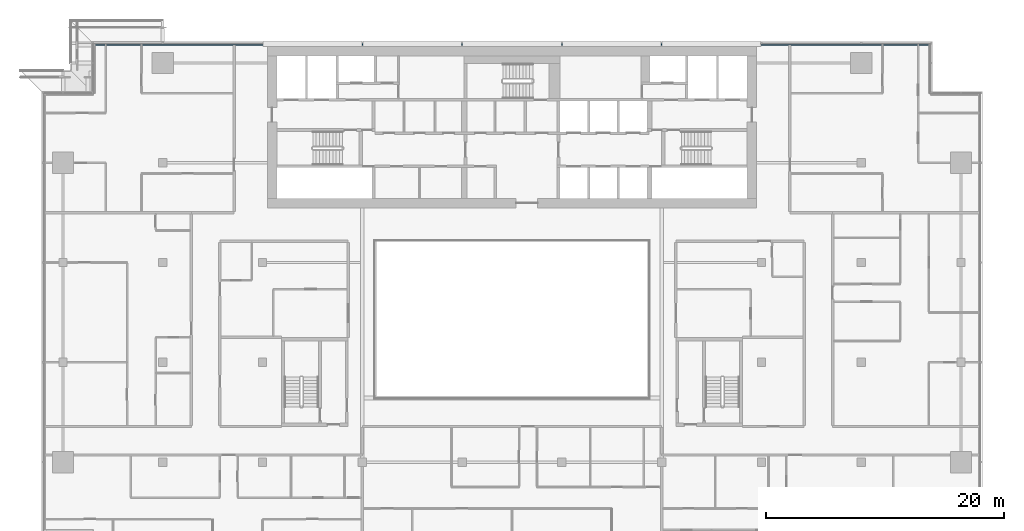
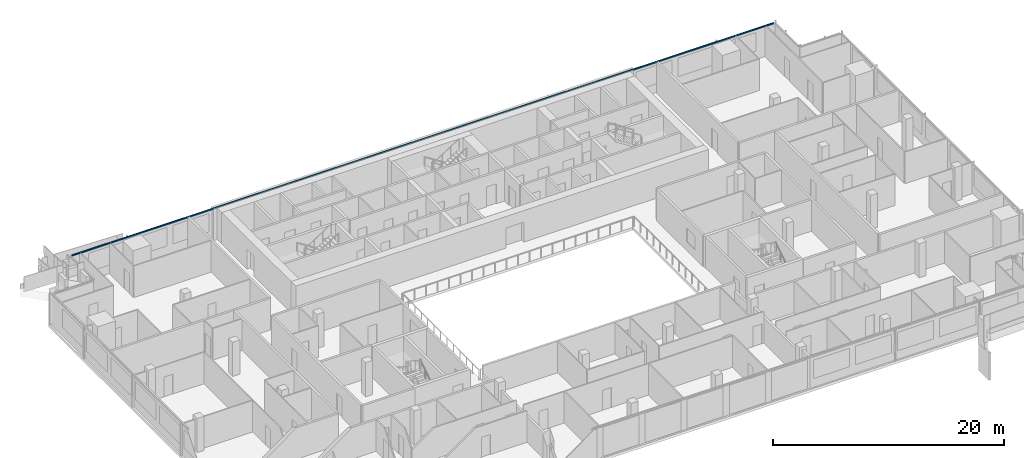
# One storey, part 11 of 30: 1 member, 1 element without a shape of its own.
"""IFC4 building model written with IfcOpenShell, lengths in metres."""

import ifcopenshell
import ifcopenshell.guid

model = None  # the IFC model being written
_history = None  # IfcOwnerHistory: only IFC2X3 demands one
_inside = {}  # id of a spatial element -> (the spatial element, [elements in it])
_under = {}  # id of a project, library or spatial element -> (it, [spatial elements below it])
_declared = {}  # id of a project -> (the project, [libraries it declares])
_typed = {}  # id of a type object -> (the type object, [elements of that type])
_made_of = {}  # id of a material, layer set ... -> (it, [elements and type objects made of it])


def new_model(schema):
    """Start an empty IFC model of exactly this schema.

    Asked for "IFC4X3", IfcOpenShell would pick the latest addendum, in which some entities
    have other attributes; the version numbers below select the first issue.
    IFC2X3 requires an IfcOwnerHistory on every rooted entity: one is made here for all.
    """
    global model, _history
    if schema == "IFC4X3":
        model = ifcopenshell.file(schema_version=(4, 3, 0, 0))
    else:
        model = ifcopenshell.file(schema=schema)
    _inside.clear()
    _under.clear()
    _declared.clear()
    _typed.clear()
    _made_of.clear()
    _history = None
    if model.schema == "IFC2X3":
        org = make("IfcOrganization", Name="unknown")
        user = make(
            "IfcPersonAndOrganization",
            ThePerson=make("IfcPerson", FamilyName="unknown"),
            TheOrganization=org,
        )
        app = make(
            "IfcApplication",
            ApplicationDeveloper=org,
            Version="unknown",
            ApplicationFullName="unknown",
            ApplicationIdentifier="unknown",
        )
        _history = make(
            "IfcOwnerHistory",
            OwningUser=user,
            OwningApplication=app,
            ChangeAction="ADDED",
            CreationDate=0,
        )
    return model


def make(cls, **values):
    """One entity of the class cls with the attributes given. An attribute that is None is left unset."""
    return model.create_entity(
        cls, **{name: value for name, value in values.items() if value is not None}
    )


def rooted(cls, **values):
    """An entity with a GlobalId (a new one), such as an element, a storey or a relation."""
    return make(cls, GlobalId=ifcopenshell.guid.new(), OwnerHistory=_history, **values)


def si_unit(unit_type, name, prefix=None):
    """IfcSIUnit, for example si_unit("LENGTHUNIT", "METRE", prefix="MILLI")."""
    return make("IfcSIUnit", UnitType=unit_type, Prefix=prefix, Name=name)


def assignment(units):
    """IfcUnitAssignment: the units of a project."""
    return None if units is None else make("IfcUnitAssignment", Units=units)


def point(xyz):
    """IfcCartesianPoint."""
    return None if xyz is None else make("IfcCartesianPoint", Coordinates=xyz)


def direction(xyz):
    """IfcDirection."""
    return None if xyz is None else make("IfcDirection", DirectionRatios=xyz)


def frame(location, z_axis=None, x_axis=None):
    """IfcAxis2Placement3D, a coordinate frame: its origin and axes. An axis left out is left unset."""
    return make(
        "IfcAxis2Placement3D",
        Location=point(location),
        Axis=direction(z_axis),
        RefDirection=direction(x_axis),
    )


def frame_2d(location, x_axis=None):
    """IfcAxis2Placement2D, a coordinate frame in the plane: its origin and x axis."""
    return make(
        "IfcAxis2Placement2D", Location=point(location), RefDirection=direction(x_axis)
    )


def origin():
    """The frame at (0, 0, 0) with its axes left unset."""
    return frame((0.0, 0.0, 0.0))


def origin_2d():
    """The frame at (0, 0) in the plane with its x axis left unset."""
    return frame_2d((0.0, 0.0))


def place(relative_to, where):
    """IfcLocalPlacement: puts the frame where relative to a parent placement (None: the world)."""
    return make(
        "IfcLocalPlacement", PlacementRelTo=relative_to, RelativePlacement=where
    )


def context(
    kind, dimensions, precision=None, world=None, true_north=None, identifier=None
):
    """IfcGeometricRepresentationContext, for example the 3D "Model" context."""
    return make(
        "IfcGeometricRepresentationContext",
        ContextIdentifier=identifier,
        ContextType=kind,
        CoordinateSpaceDimension=dimensions,
        Precision=precision,
        WorldCoordinateSystem=world,
        TrueNorth=true_north,
    )


def subcontext(parent, identifier, kind, view, scale=None):
    """IfcGeometricRepresentationSubContext, for example "Body" below "Model"."""
    return make(
        "IfcGeometricRepresentationSubContext",
        ContextIdentifier=identifier,
        ContextType=kind,
        ParentContext=parent,
        TargetScale=scale,
        TargetView=view,
    )


def project(units=None, contexts=None):
    """IfcProject with its units and contexts."""
    return rooted(
        "IfcProject",
        Name="project",
        RepresentationContexts=contexts,
        UnitsInContext=assignment(units),
    )


def spatial(cls, under=None, at=None, **own):
    """A site, building, storey or space (cls), placed at a placement, below another one or the project."""
    s = rooted(cls, ObjectPlacement=at, **own)
    if under is not None:
        _under.setdefault(under.id(), (under, []))[1].append(s)
    return s


def profile(cls, at=None, kind="AREA", **sizes):
    """A parametric profile (cls). Its sizes go by their IFC names, for example OverallWidth=200.0."""
    return make(cls, ProfileType=kind, Position=at, **sizes)


def rectangle(**sizes):
    """IfcRectangleProfileDef."""
    return profile("IfcRectangleProfileDef", **sizes)


def extrude(swept, where, along, depth):
    """IfcExtrudedAreaSolid: the profile swept, set in the frame where, extruded along a direction by depth."""
    return make(
        "IfcExtrudedAreaSolid",
        SweptArea=swept,
        Position=where,
        ExtrudedDirection=direction(along),
        Depth=depth,
    )


def shape(context_of_items, identifier, shape_type, items):
    """IfcShapeRepresentation: the items that make up one representation, for example the "Body"."""
    return make(
        "IfcShapeRepresentation",
        ContextOfItems=context_of_items,
        RepresentationIdentifier=identifier,
        RepresentationType=shape_type,
        Items=items,
    )


def material(Name=None, Category=None):
    """IfcMaterial."""
    return make("IfcMaterial", Name=Name, Category=Category)


def material_profile(
    of_material, cross_section, Name=None, Category=None, Priority=None
):
    """IfcMaterialProfile: a cross section and its material."""
    return make(
        "IfcMaterialProfile",
        Name=Name,
        Material=of_material,
        Profile=cross_section,
        Priority=Priority,
        Category=Category,
    )


def profile_set(profiles, Name=None, composite=None):
    """IfcMaterialProfileSet."""
    return make(
        "IfcMaterialProfileSet",
        Name=Name,
        MaterialProfiles=profiles,
        CompositeProfile=composite,
    )


def made_of(thing, what):
    """Note that an element or type object is made of a material, layer set ...; save() writes the relation."""
    if what is not None:
        _made_of.setdefault(what.id(), (what, []))[1].append(thing)
    return thing


def type_object(cls, material=None, **own):
    """A type object (cls), such as IfcWallType, which elements share."""
    return made_of(rooted(cls, **own), material)


def element(
    cls,
    number,
    at=None,
    inside=None,
    cuts=None,
    type_object=None,
    material=None,
    context=None,
    identifier="Body",
    shape_type=None,
    held_by="IfcProductDefinitionShape",
    body=None,
    shapes=None,
    **own,
):
    """One element of the class cls, such as IfcWall. Its Tag is "e" and its number.

    at: its placement. inside: the storey or other place that contains it. cuts: it is an
    opening in that element (IfcRelVoidsElement). A single representation is given by context,
    identifier, shape_type and body (its items); several are given by shapes. held_by: the class
    of the entity that holds the representations. save() writes the other relations.
    """
    e = rooted(cls, Tag="e%d" % number, ObjectPlacement=at, **own)
    if body is not None:
        shapes = [shape(context, identifier, shape_type, body)]
    if shapes is not None:
        e.Representation = make(held_by, Representations=shapes)
    if inside is not None:
        _inside.setdefault(inside.id(), (inside, []))[1].append(e)
    if cuts is not None:
        rooted(
            "IfcRelVoidsElement", RelatingBuildingElement=cuts, RelatedOpeningElement=e
        )
    if type_object is not None:
        _typed.setdefault(type_object.id(), (type_object, []))[1].append(e)
    return made_of(e, material)


def aggregate(whole, parts):
    """IfcRelAggregates: a whole, such as a stair, and the parts it consists of."""
    return rooted("IfcRelAggregates", RelatingObject=whole, RelatedObjects=parts)


def save(model, path):
    """Write the relations noted so far, then the file.

    IfcRelAggregates (storeys below a building ...), IfcRelContainedInSpatialStructure (elements
    in a storey), IfcRelDefinesByType, IfcRelAssociatesMaterial and IfcRelDeclares: one each for
    every whole, place, type object, material and project.
    """
    for whole, parts in _under.values():
        aggregate(whole, parts)
    for where, things in _inside.values():
        rooted(
            "IfcRelContainedInSpatialStructure",
            RelatedElements=things,
            RelatingStructure=where,
        )
    for kind, things in _typed.values():
        rooted("IfcRelDefinesByType", RelatedObjects=things, RelatingType=kind)
    for what, things in _made_of.values():
        rooted("IfcRelAssociatesMaterial", RelatedObjects=things, RelatingMaterial=what)
    for by, libraries in _declared.values():
        rooted("IfcRelDeclares", RelatingContext=by, RelatedDefinitions=libraries)
    model.write(path)


model = new_model("IFC4")

# Units and contexts
model_context = context("Model", 3, precision=1e-05, world=origin(), true_north=direction((0.0, 1.0)))
body_context = subcontext(model_context, "Body", "Model", "MODEL_VIEW")
ifc_project = project(units=[si_unit("LENGTHUNIT", "METRE"), si_unit("AREAUNIT", "SQUARE_METRE"), si_unit("VOLUMEUNIT", "CUBIC_METRE"), si_unit("PLANEANGLEUNIT", "RADIAN"), si_unit("MASSUNIT", "GRAM", prefix="KILO")], contexts=[model_context])

# Site, building, storey
site_placement = place(None, origin())
site = spatial("IfcSite", under=ifc_project, at=site_placement, CompositionType="ELEMENT")
building_placement = place(site_placement, origin())
building = spatial("IfcBuilding", under=site, at=building_placement, Name="Saffron Gate Tower", CompositionType="ELEMENT")
storey_placement = place(building_placement, frame((0.0, 0.0, 179.85009765625)))
storey = spatial("IfcBuildingStorey", under=building, at=storey_placement, Name="L44", CompositionType="ELEMENT", Elevation=179.85009765625)

# Curtain wall, member
ifc_material = material(Name="Aluminium, bronze anodised", Category="aluminium")
curtain_wall_type = type_object("IfcCurtainWallType", Name="CWS3 curtain wall rear facade", PredefinedType="NOTDEFINED", material=ifc_material)
curtain_wall_placement = place(storey_placement, origin())
curtain_wall = element("IfcCurtainWall", 1, at=curtain_wall_placement, inside=storey, type_object=curtain_wall_type, Name="CWS3 run 7", PredefinedType="NOTDEFINED")
ifc_material_profile = material_profile(ifc_material, rectangle(XDim=0.1201171875, YDim=0.1201171875, at=origin_2d()))
ifc_profile_set = profile_set([ifc_material_profile], Name="Aluminium, bronze anodised")
member_type = type_object("IfcMemberType", Name="CWS3 head transom", PredefinedType="USERDEFINED", material=ifc_profile_set)
member_placement = place(storey_placement, frame((122.632080078125, 75.35205078125, 3.260009765625), z_axis=(-1.0, 0.0, 0.0), x_axis=(0.0, -1.0, 0.0)))
member = element("IfcMember", 2, at=member_placement, type_object=member_type, Name="CWS3 head transom", ObjectType="TRANSOM", PredefinedType="USERDEFINED", context=body_context, shape_type="SweptSolid", body=[
    extrude(rectangle(XDim=0.1201171875, YDim=0.1201171875, at=origin_2d()), origin(), (0.0, 0.0, 1.0), 70.06396484375),
])
aggregate(curtain_wall, [member])

save(model, "model.ifc")
